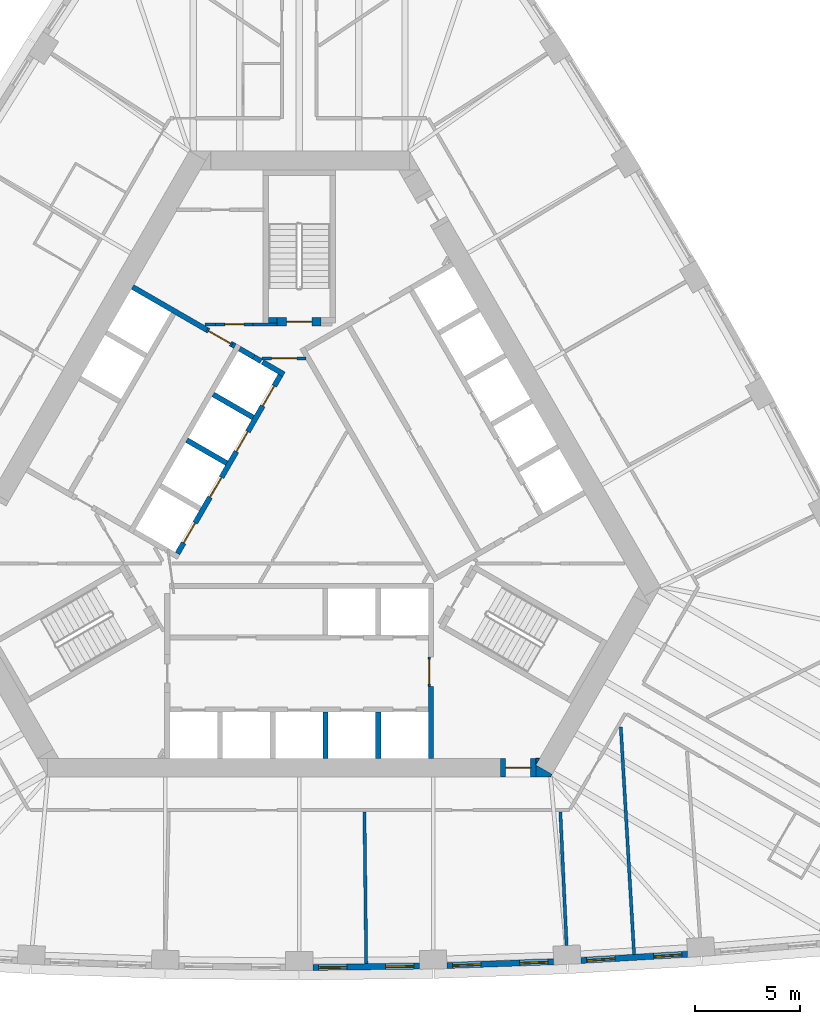
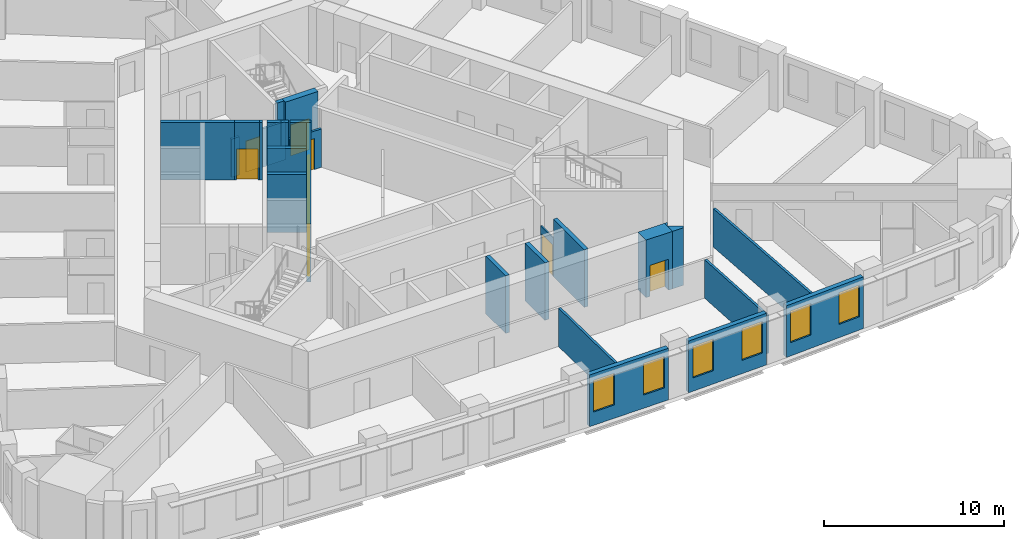
# One storey, part 6 of 12: 28 walls, 10 doors, 6 windows, 16 openings.
"""IFC4 building model written with IfcOpenShell, lengths in metres."""

from ifc_helpers import new_model, si_unit, direction, frame, frame_2d, origin, place, context, subcontext, project, spatial, polyline, rectangle, outline, extrude, material, layer, layer_set, type_object, element, fill, save


model = new_model("IFC4")

# Units and contexts
model_context = context("Model", 3, precision=1e-05, world=origin(), true_north=direction((0.0, 1.0)))
body_context = subcontext(model_context, "Body", "Model", "MODEL_VIEW")
ifc_project = project(units=[si_unit("LENGTHUNIT", "METRE"), si_unit("AREAUNIT", "SQUARE_METRE"), si_unit("VOLUMEUNIT", "CUBIC_METRE"), si_unit("PLANEANGLEUNIT", "RADIAN"), si_unit("MASSUNIT", "GRAM", prefix="KILO")], contexts=[model_context])

# Site, building, storey
site_placement = place(None, origin())
site = spatial("IfcSite", under=ifc_project, at=site_placement, CompositionType="ELEMENT")
building_placement = place(site_placement, origin())
building = spatial("IfcBuilding", under=site, at=building_placement, Name="Mestral Congress Tower", CompositionType="ELEMENT")
storey_placement = place(building_placement, frame((0.0, 0.0, 130.5)))
storey = spatial("IfcBuildingStorey", under=building, at=storey_placement, Name="L31", CompositionType="ELEMENT", Elevation=130.5)

# Walls
ifc_material_1 = material(Name="Fire-rated board partition")
ifc_layer_1 = layer(ifc_material_1, 0.14990234375)
ifc_layer_set_1 = layer_set([ifc_layer_1], Name="Fire-rated board partition")
wall_type_1 = type_object("IfcWallType", Name="Core partition 150", PredefinedType="PARTITIONING", material=ifc_layer_set_1)
wall_1_placement = place(storey_placement, frame((-3.99658203125, 8.625244140625, 0.0), z_axis=(0.0, 0.0, 1.0), x_axis=(-1.0, 0.0, 0.0)))
element("IfcWall", 1, at=wall_1_placement, inside=storey, type_object=wall_type_1, Name="L31 core wall", PredefinedType="PARTITIONING", context=body_context, shape_type="SweptSolid", body=[
    extrude(rectangle(XDim=0.502197265625, YDim=0.14990234375, at=frame_2d((0.2509765625, 0.0))), origin(), (0.0, 0.0, 1.0), 2.60009765625),
])
wall_2_placement = place(storey_placement, frame((-2.1962890625, 8.62548828125, 0.0), z_axis=(0.0, 0.0, 1.0), x_axis=(1.0, 0.0, 0.0)))
element("IfcWall", 2, at=wall_2_placement, inside=storey, type_object=wall_type_1, Name="L31 core wall", PredefinedType="PARTITIONING", context=body_context, shape_type="SweptSolid", body=[
    extrude(rectangle(XDim=1.146240234375, YDim=0.14990234375, at=frame_2d((0.5732421875, 0.0))), origin(), (0.0, 0.0, 1.0), 2.60009765625),
])

# Wall, opening, door
wall_3_placement = place(storey_placement, frame((-2.1962890625, 8.625, 0.0), z_axis=(0.0, 0.0, 1.0), x_axis=(-1.0, 0.0, 0.0)))
wall_3 = element("IfcWall", 3, at=wall_3_placement, inside=storey, type_object=wall_type_1, Name="L31 door wall", PredefinedType="PARTITIONING", context=body_context, shape_type="SweptSolid", body=[
    extrude(rectangle(XDim=1.800048828125, YDim=0.14990234375, at=frame_2d((0.89990234375, 0.0))), origin(), (0.0, 0.0, 1.0), 2.60009765625),
])
opening_1_placement = place(wall_3_placement, frame((0.449951171875, 0.0, 0.0)))
opening_1 = element("IfcOpeningElement", 4, at=opening_1_placement, cuts=wall_3, Name="Opening TD2", PredefinedType="OPENING", context=body_context, shape_type="SweptSolid", body=[
    extrude(rectangle(XDim=0.89990234375, YDim=2.10009765625, at=frame_2d((0.449951171875, 1.050048828125))), frame((0.0, 0.0849609375, 0.0), z_axis=(0.0, -1.0, 0.0), x_axis=(1.0, 0.0, 0.0)), (0.0, 0.0, 1.0), 0.169921875),
])
ifc_material_2 = material(Name="Fire-rated steel door set", Category="steel")
door_type_1 = type_object("IfcDoorType", Name="Core door SR 900x2100", OperationType="SINGLE_SWING_LEFT", PredefinedType="DOOR", material=ifc_material_2)
door_1_placement = place(opening_1_placement, origin())
door_1 = element("IfcDoor", 5, at=door_1_placement, inside=storey, type_object=door_type_1, Name="Door TD2", OperationType="SINGLE_SWING_LEFT", OverallHeight=2.10009765625, OverallWidth=0.89990234375, PredefinedType="DOOR", context=body_context, shape_type="SweptSolid", body=[
    extrude(rectangle(XDim=0.89990234375, YDim=2.10009765625, at=frame_2d((0.449951171875, 1.050048828125))), frame((0.0, 0.02490234375, 0.0), z_axis=(0.0, -1.0, 0.0), x_axis=(1.0, 0.0, 0.0)), (0.0, 0.0, 1.0), 0.050048828125),
])
fill(opening_1, door_1)

wall_4_placement = place(storey_placement, frame((-1.765380859375, 7.0, 0.0), z_axis=(0.0, 0.0, 1.0), x_axis=(1.0, 0.0, 0.0)))
wall_4 = element("IfcWall", 6, at=wall_4_placement, inside=storey, type_object=wall_type_1, Name="L31 door wall", PredefinedType="PARTITIONING", context=body_context, shape_type="SweptSolid", body=[
    extrude(rectangle(XDim=2.10009765625, YDim=0.14990234375, at=frame_2d((1.050048828125, 0.0))), origin(), (0.0, 0.0, 1.0), 2.60009765625),
])
opening_2_placement = place(wall_4_placement, frame((0.449951171875, 0.0, 0.0)))
opening_2 = element("IfcOpeningElement", 7, at=opening_2_placement, cuts=wall_4, Name="Opening CD2-FF", PredefinedType="OPENING", context=body_context, shape_type="SweptSolid", body=[
    extrude(rectangle(XDim=1.199951171875, YDim=2.10009765625, at=frame_2d((0.60009765625, 1.050048828125))), frame((0.0, 0.0849609375, 0.0), z_axis=(0.0, -1.0, 0.0), x_axis=(1.0, 0.0, 0.0)), (0.0, 0.0, 1.0), 0.169921875),
])
door_type_2 = type_object("IfcDoorType", Name="Core door CD 1200x2100", OperationType="SINGLE_SWING_LEFT", PredefinedType="DOOR", material=ifc_material_2)
door_2_placement = place(opening_2_placement, origin())
door_2 = element("IfcDoor", 8, at=door_2_placement, inside=storey, type_object=door_type_2, Name="Door CD2-FF", OperationType="SINGLE_SWING_LEFT", OverallHeight=2.10009765625, OverallWidth=1.199951171875, PredefinedType="DOOR", context=body_context, shape_type="SweptSolid", body=[
    extrude(rectangle(XDim=1.199951171875, YDim=2.10009765625, at=frame_2d((0.60009765625, 1.050048828125))), frame((0.0, 0.02490234375, 0.0), z_axis=(0.0, -1.0, 0.0), x_axis=(1.0, 0.0, 0.0)), (0.0, 0.0, 1.0), 0.050048828125),
])
fill(opening_2, door_2)

ifc_layer_2 = layer(ifc_material_1, 0.090087890625)
ifc_layer_set_2 = layer_set([ifc_layer_2], Name="Fire-rated board partition")
wall_type_2 = type_object("IfcWallType", Name="Core partition 150 door-wall 90", PredefinedType="PARTITIONING", material=ifc_layer_set_2)
wall_5_placement = place(storey_placement, frame((6.219970703125, -7.266357421875, 0.0), z_axis=(0.0, 0.0, 1.0), x_axis=(0.0, -1.0, 0.0)))
wall_5 = element("IfcWall", 9, at=wall_5_placement, inside=storey, type_object=wall_type_2, Name="L31 door wall", PredefinedType="PARTITIONING", context=body_context, shape_type="SweptSolid", body=[
    extrude(rectangle(XDim=1.400146484375, YDim=0.090087890625, at=frame_2d((0.7001953125, 0.0))), origin(), (0.0, 0.0, 1.0), 2.60009765625),
])
opening_3_placement = place(wall_5_placement, frame((0.10009765625, 0.0, 0.0)))
opening_3 = element("IfcOpeningElement", 10, at=opening_3_placement, cuts=wall_5, Name="Opening LB0-WL1", PredefinedType="OPENING", context=body_context, shape_type="SweptSolid", body=[
    extrude(rectangle(XDim=1.199951171875, YDim=2.10009765625, at=frame_2d((0.60009765625, 1.050048828125))), frame((0.0, 0.054931640625, 0.0), z_axis=(0.0, -1.0, 0.0), x_axis=(1.0, 0.0, 0.0)), (0.0, 0.0, 1.0), 0.110107421875),
])
door_type_3 = type_object("IfcDoorType", Name="Core door LB 1200x2100", OperationType="SINGLE_SWING_LEFT", PredefinedType="DOOR", material=ifc_material_2)
door_3_placement = place(opening_3_placement, origin())
door_3 = element("IfcDoor", 11, at=door_3_placement, inside=storey, type_object=door_type_3, Name="Door LB0-WL1", OperationType="SINGLE_SWING_LEFT", OverallHeight=2.10009765625, OverallWidth=1.199951171875, PredefinedType="DOOR", context=body_context, shape_type="SweptSolid", body=[
    extrude(rectangle(XDim=1.199951171875, YDim=2.10009765625, at=frame_2d((0.60009765625, 1.050048828125))), frame((0.0, 0.02490234375, 0.0), z_axis=(0.0, -1.0, 0.0), x_axis=(1.0, 0.0, 0.0)), (0.0, 0.0, 1.0), 0.050048828125),
])
fill(opening_3, door_3)

# Walls
ifc_material_3 = material(Name="Concrete C60/75", Category="concrete")
ifc_layer_3 = layer(ifc_material_3, 0.89990234375)
ifc_layer_set_3 = layer_set([ifc_layer_3], Name="Concrete C60/75")
wall_type_3 = type_object("IfcWallType", Name="Core wall RC 900", PredefinedType="SOLIDWALL", material=ifc_layer_set_3)
placement = place(storey_placement, origin())
element("IfcWall", 12, at=placement, inside=storey, type_object=wall_type_3, Name="L31 core wall", PredefinedType="SOLIDWALL", context=body_context, shape_type="SweptSolid", body=[
    extrude(outline(polyline([(12.0087890625, -13.0), (11.31201171875, -13.0), (11.31201171875, -12.425048828125), (12.08349609375, -12.87060546875), (12.0087890625, -13.0)])), origin(), (0.0, 0.0, 1.0), 3.89990234375),
])
element("IfcWall", 13, at=placement, inside=storey, type_object=wall_type_3, Name="L31 core wall", PredefinedType="SOLIDWALL", context=body_context, shape_type="SweptSolid", body=[
    extrude(outline(polyline([(11.4892578125, -12.10009765625), (11.31201171875, -12.4072265625), (11.31201171875, -12.10009765625), (11.4892578125, -12.10009765625)])), origin(), (0.0, 0.0, 1.0), 3.89990234375),
])

# Wall, opening, door
wall_8_placement = place(storey_placement, frame((11.311767578125, -12.550048828125, 0.0), z_axis=(0.0, 0.0, 1.0), x_axis=(-1.0, 0.0, 0.0)))
wall_8 = element("IfcWall", 14, at=wall_8_placement, inside=storey, type_object=wall_type_3, Name="L31 door wall", PredefinedType="SOLIDWALL", context=body_context, shape_type="SweptSolid", body=[
    extrude(rectangle(XDim=1.699951171875, YDim=0.89990234375, at=frame_2d((0.85009765625, 0.0))), origin(), (0.0, 0.0, 1.0), 3.89990234375),
])
opening_4_placement = place(wall_8_placement, frame((0.25, 0.0, 0.0)))
opening_4 = element("IfcOpeningElement", 15, at=opening_4_placement, cuts=wall_8, Name="Opening XD1", PredefinedType="OPENING", context=body_context, shape_type="SweptSolid", body=[
    extrude(rectangle(XDim=1.199951171875, YDim=2.10009765625, at=frame_2d((0.60009765625, 1.050048828125))), frame((0.0, 0.4599609375, 0.0), z_axis=(0.0, -1.0, 0.0), x_axis=(1.0, 0.0, 0.0)), (0.0, 0.0, 1.0), 0.919921875),
])
door_type_4 = type_object("IfcDoorType", Name="Core door XD 1200x2100", OperationType="SINGLE_SWING_LEFT", PredefinedType="DOOR", material=ifc_material_2)
door_4_placement = place(opening_4_placement, origin())
door_4 = element("IfcDoor", 16, at=door_4_placement, inside=storey, type_object=door_type_4, Name="Door XD1", OperationType="SINGLE_SWING_LEFT", OverallHeight=2.10009765625, OverallWidth=1.199951171875, PredefinedType="DOOR", context=body_context, shape_type="SweptSolid", body=[
    extrude(rectangle(XDim=1.199951171875, YDim=2.10009765625, at=frame_2d((0.60009765625, 1.050048828125))), frame((0.0, 0.02490234375, 0.0), z_axis=(0.0, -1.0, 0.0), x_axis=(1.0, 0.0, 0.0)), (0.0, 0.0, 1.0), 0.050048828125),
])
fill(opening_4, door_4)

# Wall, openings, windows
ifc_material_4 = material(Name="Precast concrete C40/50 with limestone facing", Category="masonry")
ifc_layer_4 = layer(ifc_material_4, 0.2900390625)
ifc_layer_set_4 = layer_set([ifc_layer_4], Name="Precast concrete C40/50 with limestone facing")
wall_type_4 = type_object("IfcWallType", Name="Facade stone wall 290", PredefinedType="SOLIDWALL", material=ifc_layer_set_4)
wall_9_placement = place(storey_placement, frame((0.6533203125, -22.091064453125, 0.0), z_axis=(0.0, 0.0, 1.0), x_axis=(0.999931786565, 0.011679992145, 0.0)))
wall_9 = element("IfcWall", 17, at=wall_9_placement, inside=storey, type_object=wall_type_4, Name="Facade wall F0-04", PredefinedType="SOLIDWALL", context=body_context, shape_type="SweptSolid", body=[
    extrude(rectangle(XDim=5.10009765625, YDim=0.2900390625, at=frame_2d((2.550048828125, 0.0))), origin(), (0.0, 0.0, 1.0), 3.5),
])
opening_5_placement = place(wall_9_placement, frame((0.272705078125, 0.0, 0.89990234375)))
opening_5 = element("IfcOpeningElement", 18, at=opening_5_placement, cuts=wall_9, Name="Opening W2", PredefinedType="OPENING", context=body_context, shape_type="SweptSolid", body=[
    extrude(rectangle(XDim=1.35009765625, YDim=2.14990234375, at=frame_2d((0.675048828125, 1.074951171875))), frame((0.0, 0.155029296875, 0.0), z_axis=(0.0, -1.0, 0.0), x_axis=(1.0, 0.0, 0.0)), (0.0, 0.0, 1.0), 0.31005859375),
])
opening_6_placement = place(wall_9_placement, frame((3.477783203125, 0.0, 0.89990234375)))
opening_6 = element("IfcOpeningElement", 19, at=opening_6_placement, cuts=wall_9, Name="Opening W2", PredefinedType="OPENING", context=body_context, shape_type="SweptSolid", body=[
    extrude(rectangle(XDim=1.35009765625, YDim=2.14990234375, at=frame_2d((0.675048828125, 1.074951171875))), frame((0.0, 0.155029296875, 0.0), z_axis=(0.0, -1.0, 0.0), x_axis=(1.0, 0.0, 0.0)), (0.0, 0.0, 1.0), 0.31005859375),
])
ifc_material_5 = material(Name="Clear low-emissivity double glazing", Category="glass")
window_type = type_object("IfcWindowType", Name="Facade punched window 1350 x 2150 sill 900", PartitioningType="DOUBLE_PANEL_VERTICAL", PredefinedType="WINDOW", material=ifc_material_5)
window_1_placement = place(opening_5_placement, origin())
window_1 = element("IfcWindow", 20, at=window_1_placement, inside=storey, type_object=window_type, Name="Window F0-04a", OverallHeight=2.14990234375, OverallWidth=1.35009765625, PartitioningType="DOUBLE_PANEL_VERTICAL", PredefinedType="WINDOW", context=body_context, shape_type="SweptSolid", body=[
    extrude(rectangle(XDim=1.35009765625, YDim=2.14990234375, at=frame_2d((0.675048828125, 1.074951171875))), frame((0.0, 0.01513671875, 0.0), z_axis=(0.0, -1.0, 0.0), x_axis=(1.0, 0.0, 0.0)), (0.0, 0.0, 1.0), 0.06005859375),
])
fill(opening_5, window_1)
window_2_placement = place(opening_6_placement, origin())
window_2 = element("IfcWindow", 21, at=window_2_placement, inside=storey, type_object=window_type, Name="Window F0-04b", OverallHeight=2.14990234375, OverallWidth=1.35009765625, PartitioningType="DOUBLE_PANEL_VERTICAL", PredefinedType="WINDOW", context=body_context, shape_type="SweptSolid", body=[
    extrude(rectangle(XDim=1.35009765625, YDim=2.14990234375, at=frame_2d((0.675048828125, 1.074951171875))), frame((0.0, 0.01513671875, 0.0), z_axis=(0.0, -1.0, 0.0), x_axis=(1.0, 0.0, 0.0)), (0.0, 0.0, 1.0), 0.06005859375),
])
fill(opening_6, window_2)

wall_10_placement = place(storey_placement, frame((7.059326171875, -22.000732421875, 0.0), z_axis=(0.0, 0.0, 1.0), x_axis=(0.999385993957, 0.035037623812, 0.0)))
wall_10 = element("IfcWall", 22, at=wall_10_placement, inside=storey, type_object=wall_type_4, Name="Facade wall F0-05", PredefinedType="SOLIDWALL", context=body_context, shape_type="SweptSolid", body=[
    extrude(rectangle(XDim=5.1005859375, YDim=0.2900390625, at=frame_2d((2.55029296875, 0.0))), origin(), (0.0, 0.0, 1.0), 3.5),
])
opening_7_placement = place(wall_10_placement, frame((0.272705078125, 0.0, 0.89990234375)))
opening_7 = element("IfcOpeningElement", 23, at=opening_7_placement, cuts=wall_10, Name="Opening W2", PredefinedType="OPENING", context=body_context, shape_type="SweptSolid", body=[
    extrude(rectangle(XDim=1.35009765625, YDim=2.14990234375, at=frame_2d((0.675048828125, 1.074951171875))), frame((0.0, 0.155029296875, 0.0), z_axis=(0.0, -1.0, 0.0), x_axis=(1.0, 0.0, 0.0)), (0.0, 0.0, 1.0), 0.31005859375),
])
opening_8_placement = place(wall_10_placement, frame((3.477783203125, 0.0, 0.89990234375)))
opening_8 = element("IfcOpeningElement", 24, at=opening_8_placement, cuts=wall_10, Name="Opening W2", PredefinedType="OPENING", context=body_context, shape_type="SweptSolid", body=[
    extrude(rectangle(XDim=1.35009765625, YDim=2.14990234375, at=frame_2d((0.675048828125, 1.074951171875))), frame((0.0, 0.155029296875, 0.0), z_axis=(0.0, -1.0, 0.0), x_axis=(1.0, 0.0, 0.0)), (0.0, 0.0, 1.0), 0.31005859375),
])
window_3_placement = place(opening_7_placement, origin())
window_3 = element("IfcWindow", 25, at=window_3_placement, inside=storey, type_object=window_type, Name="Window F0-05a", OverallHeight=2.14990234375, OverallWidth=1.35009765625, PartitioningType="DOUBLE_PANEL_VERTICAL", PredefinedType="WINDOW", context=body_context, shape_type="SweptSolid", body=[
    extrude(rectangle(XDim=1.35009765625, YDim=2.14990234375, at=frame_2d((0.675048828125, 1.074951171875))), frame((0.0, 0.01513671875, 0.0), z_axis=(0.0, -1.0, 0.0), x_axis=(1.0, 0.0, 0.0)), (0.0, 0.0, 1.0), 0.06005859375),
])
fill(opening_7, window_3)
window_4_placement = place(opening_8_placement, origin())
window_4 = element("IfcWindow", 26, at=window_4_placement, inside=storey, type_object=window_type, Name="Window F0-05b", OverallHeight=2.14990234375, OverallWidth=1.35009765625, PartitioningType="DOUBLE_PANEL_VERTICAL", PredefinedType="WINDOW", context=body_context, shape_type="SweptSolid", body=[
    extrude(rectangle(XDim=1.35009765625, YDim=2.14990234375, at=frame_2d((0.675048828125, 1.074951171875))), frame((0.0, 0.01513671875, 0.0), z_axis=(0.0, -1.0, 0.0), x_axis=(1.0, 0.0, 0.0)), (0.0, 0.0, 1.0), 0.06005859375),
])
fill(opening_8, window_4)

wall_11_placement = place(storey_placement, frame((13.4619140625, -21.760986328125, 0.0), z_axis=(0.0, 0.0, 1.0), x_axis=(0.998290511436, 0.058447025388, 0.0)))
wall_11 = element("IfcWall", 27, at=wall_11_placement, inside=storey, type_object=wall_type_4, Name="Facade wall F0-06", PredefinedType="SOLIDWALL", context=body_context, shape_type="SweptSolid", body=[
    extrude(rectangle(XDim=5.100341796875, YDim=0.2900390625, at=frame_2d((2.55029296875, 0.0))), origin(), (0.0, 0.0, 1.0), 3.5),
])
opening_9_placement = place(wall_11_placement, frame((0.2724609375, 0.0, 0.89990234375)))
opening_9 = element("IfcOpeningElement", 28, at=opening_9_placement, cuts=wall_11, Name="Opening W2", PredefinedType="OPENING", context=body_context, shape_type="SweptSolid", body=[
    extrude(rectangle(XDim=1.35009765625, YDim=2.14990234375, at=frame_2d((0.675048828125, 1.074951171875))), frame((0.0, 0.155029296875, 0.0), z_axis=(0.0, -1.0, 0.0), x_axis=(1.0, 0.0, 0.0)), (0.0, 0.0, 1.0), 0.31005859375),
])
opening_10_placement = place(wall_11_placement, frame((3.477783203125, 0.0, 0.89990234375)))
opening_10 = element("IfcOpeningElement", 29, at=opening_10_placement, cuts=wall_11, Name="Opening W2", PredefinedType="OPENING", context=body_context, shape_type="SweptSolid", body=[
    extrude(rectangle(XDim=1.35009765625, YDim=2.14990234375, at=frame_2d((0.675048828125, 1.074951171875))), frame((0.0, 0.155029296875, 0.0), z_axis=(0.0, -1.0, 0.0), x_axis=(1.0, 0.0, 0.0)), (0.0, 0.0, 1.0), 0.31005859375),
])
window_5_placement = place(opening_9_placement, origin())
window_5 = element("IfcWindow", 30, at=window_5_placement, inside=storey, type_object=window_type, Name="Window F0-06a", OverallHeight=2.14990234375, OverallWidth=1.35009765625, PartitioningType="DOUBLE_PANEL_VERTICAL", PredefinedType="WINDOW", context=body_context, shape_type="SweptSolid", body=[
    extrude(rectangle(XDim=1.35009765625, YDim=2.14990234375, at=frame_2d((0.675048828125, 1.074951171875))), frame((0.0, 0.01513671875, 0.0), z_axis=(0.0, -1.0, 0.0), x_axis=(1.0, 0.0, 0.0)), (0.0, 0.0, 1.0), 0.06005859375),
])
fill(opening_9, window_5)
window_6_placement = place(opening_10_placement, origin())
window_6 = element("IfcWindow", 31, at=window_6_placement, inside=storey, type_object=window_type, Name="Window F0-06b", OverallHeight=2.14990234375, OverallWidth=1.35009765625, PartitioningType="DOUBLE_PANEL_VERTICAL", PredefinedType="WINDOW", context=body_context, shape_type="SweptSolid", body=[
    extrude(rectangle(XDim=1.35009765625, YDim=2.14990234375, at=frame_2d((0.675048828125, 1.074951171875))), frame((0.0, 0.01513671875, 0.0), z_axis=(0.0, -1.0, 0.0), x_axis=(1.0, 0.0, 0.0)), (0.0, 0.0, 1.0), 0.06005859375),
])
fill(opening_10, window_6)

# Walls
ifc_material_6 = material(Name="Gypsum board partition on metal studs with mineral wool", Category="composite")
ifc_layer_5 = layer(ifc_material_6, 0.14990234375)
ifc_layer_set_5 = layer_set([ifc_layer_5], Name="Gypsum board partition on metal studs with mineral wool")
wall_type_5 = type_object("IfcWallType", Name="Hotel partition wall 150", PredefinedType="PARTITIONING", material=ifc_layer_set_5)
wall_12_placement = place(storey_placement, frame((3.20166015625, -21.916259765625, 0.0), z_axis=(0.0, 0.0, 1.0), x_axis=(-0.011707696285, 0.999931462575, 0.0)))
element("IfcWall", 32, at=wall_12_placement, inside=storey, type_object=wall_type_5, Name="L31-h-pw13", PredefinedType="PARTITIONING", context=body_context, shape_type="SweptSolid", body=[
    extrude(rectangle(XDim=7.2568359375, YDim=0.14990234375, at=frame_2d((3.62841796875, 0.0))), origin(), (0.0, 0.0, 1.0), 2.60009765625),
])
wall_13_placement = place(storey_placement, frame((12.7744140625, -21.044921875, 0.0), z_axis=(0.0, 0.0, 1.0), x_axis=(-0.046750341626, 0.998906605023, 0.0)))
element("IfcWall", 33, at=wall_13_placement, inside=storey, type_object=wall_type_5, Name="L31-h-pw17", PredefinedType="PARTITIONING", context=body_context, shape_type="SweptSolid", body=[
    extrude(rectangle(XDim=6.39208984375, YDim=0.14990234375, at=frame_2d((3.196044921875, 0.0))), origin(), (0.0, 0.0, 1.0), 2.60009765625),
])
wall_14_placement = place(storey_placement, frame((15.999267578125, -21.467041015625, 0.0), z_axis=(0.0, 0.0, 1.0), x_axis=(-0.058433825336, 0.998291284173, 0.0)))
element("IfcWall", 34, at=wall_14_placement, inside=storey, type_object=wall_type_5, Name="L31-h-pw19", PredefinedType="PARTITIONING", context=body_context, shape_type="SweptSolid", body=[
    extrude(rectangle(XDim=10.87548828125, YDim=0.14990234375, at=frame_2d((5.437744140625, 0.0))), origin(), (0.0, 0.0, 1.0), 2.60009765625),
])
ifc_layer_6 = layer(ifc_material_3, 0.25)
ifc_layer_set_6 = layer_set([ifc_layer_6], Name="Concrete C60/75")
wall_type_6 = type_object("IfcWallType", Name="Shaft wall RC 250", PredefinedType="SOLIDWALL", material=ifc_layer_set_6)
wall_15_placement = place(storey_placement, frame((6.300048828125, -8.669921875, 0.0), z_axis=(0.0, 0.0, 1.0), x_axis=(0.0, -1.0, 0.0)))
element("IfcWall", 35, at=wall_15_placement, inside=storey, type_object=wall_type_6, Name="L31 core wall", PredefinedType="SOLIDWALL", context=body_context, shape_type="SweptSolid", body=[
    extrude(rectangle(XDim=3.43017578125, YDim=0.25, at=frame_2d((1.715087890625, 0.0))), origin(), (0.0, 0.0, 1.0), 3.89990234375),
])
for number, where, z_axis, x_axis, name in (
    (36, (3.780029296875, -12.10009765625, 0.0), (0.0, 0.0, 1.0), (0.0, 1.0, 0.0), "L31 core wall"),
    (37, (1.260009765625, -12.10009765625, 0.0), (0.0, 0.0, 1.0), (0.0, 1.0, 0.0), "L31 core wall"),
):
    element("IfcWall", number, at=place(storey_placement, frame(where, z_axis=z_axis, x_axis=x_axis)), inside=storey, type_object=wall_type_6, Name=name, PredefinedType="SOLIDWALL", context=body_context, shape_type="SweptSolid", body=[
        extrude(rectangle(XDim=2.199951171875, YDim=0.25, at=frame_2d((1.10009765625, 0.0))), origin(), (0.0, 0.0, 1.0), 3.89990234375),
    ])
wall_16_placement = place(storey_placement, frame((-1.818603515625, 6.869873046875, 0.0), z_axis=(0.0, 0.0, 1.0), x_axis=(-0.866294599386, 0.499533449405, 0.0)))
element("IfcWall", 38, at=wall_16_placement, inside=storey, type_object=wall_type_6, Name="L31 core wall", PredefinedType="SOLIDWALL", context=body_context, shape_type="SweptSolid", body=[
    extrude(rectangle(XDim=0.41015625, YDim=0.25, at=frame_2d((0.205078125, 0.0))), origin(), (0.0, 0.0, 1.0), 3.89990234375),
])
wall_17_placement = place(storey_placement, frame((-2.849365234375, 7.46484375, 0.0), z_axis=(0.0, 0.0, 1.0), x_axis=(0.865955664968, -0.500120771724, 0.0)))
element("IfcWall", 39, at=wall_17_placement, inside=storey, type_object=wall_type_6, Name="L31 core wall", PredefinedType="SOLIDWALL", context=body_context, shape_type="SweptSolid", body=[
    extrude(rectangle(XDim=0.778076171875, YDim=0.25, at=frame_2d((0.38916015625, 0.0))), origin(), (0.0, 0.0, 1.0), 3.89990234375),
])
wall_18_placement = place(storey_placement, frame((-0.7275390625, 6.23974609375, 0.0), z_axis=(0.0, 0.0, 1.0), x_axis=(-0.866002680491, 0.500039355833, 0.0)))
element("IfcWall", 40, at=wall_18_placement, inside=storey, type_object=wall_type_6, Name="L31 core wall", PredefinedType="SOLIDWALL", context=body_context, shape_type="SweptSolid", body=[
    extrude(rectangle(XDim=1.17822265625, YDim=0.25, at=frame_2d((0.589111328125, 0.0))), origin(), (0.0, 0.0, 1.0), 3.89990234375),
])
for number, where, z_axis, x_axis, name in (
    (41, (-2.2041015625, 4.182373046875, 0.0), (0.0, 0.0, 1.0), (-0.866008176907, 0.50002983664, 0.0), "L31 core wall"),
    (42, (-5.369384765625, 3.10009765625, 0.0), (0.0, 0.0, 1.0), (0.866008176907, -0.50002983664, 0.0), "L31 core wall"),
):
    element("IfcWall", number, at=place(storey_placement, frame(where, z_axis=z_axis, x_axis=x_axis)), inside=storey, type_object=wall_type_6, Name=name, PredefinedType="SOLIDWALL", context=body_context, shape_type="SweptSolid", body=[
        extrude(rectangle(XDim=2.199951171875, YDim=0.25, at=frame_2d((1.10009765625, 0.0))), origin(), (0.0, 0.0, 1.0), 3.89990234375),
    ])
element("IfcWall", 43, at=placement, inside=storey, type_object=wall_type_6, Name="L31 core wall", PredefinedType="SOLIDWALL", context=body_context, shape_type="SweptSolid", body=[
    extrude(outline(polyline([(-3.12841796875, 7.4814453125), (-3.2587890625, 7.556640625), (-3.1337890625, 7.773193359375), (-3.00341796875, 7.697998046875), (-3.12841796875, 7.4814453125)])), origin(), (0.0, 0.0, 1.0), 3.89990234375),
])
wall_20_placement = place(storey_placement, frame((-7.958984375, 10.414794921875, 0.0), z_axis=(0.0, 0.0, 1.0), x_axis=(0.866020958405, -0.500007699544, 0.0)))
element("IfcWall", 44, at=wall_20_placement, inside=storey, type_object=wall_type_6, Name="L31 core wall", PredefinedType="SOLIDWALL", context=body_context, shape_type="SweptSolid", body=[
    extrude(rectangle(XDim=4.099609375, YDim=0.25, at=frame_2d((2.0498046875, 0.0))), origin(), (0.0, 0.0, 1.0), 3.89990234375),
])

# Wall, openings, doors
wall_21_placement = place(storey_placement, frame((-0.898193359375, 6.194091796875, 0.0), z_axis=(0.0, 0.0, 1.0), x_axis=(-0.499996202215, -0.866027596426, 0.0)))
wall_21 = element("IfcWall", 45, at=wall_21_placement, inside=storey, type_object=wall_type_6, Name="L31 door wall", PredefinedType="SOLIDWALL", context=body_context, shape_type="SweptSolid", body=[
    extrude(rectangle(XDim=9.830078125, YDim=0.25, at=frame_2d((4.9150390625, 0.0))), origin(), (0.0, 0.0, 1.0), 3.89990234375),
])
opening_11_placement = place(wall_21_placement, frame((0.5849609375, 0.0, 0.0)))
opening_11 = element("IfcOpeningElement", 46, at=opening_11_placement, cuts=wall_21, Name="Opening LD-NWB1", PredefinedType="OPENING", context=body_context, shape_type="SweptSolid", body=[
    extrude(rectangle(XDim=1.10009765625, YDim=2.10009765625, at=frame_2d((0.550048828125, 1.050048828125))), frame((0.0, 0.135009765625, 0.0), z_axis=(0.0, -1.0, 0.0), x_axis=(1.0, 0.0, 0.0)), (0.0, 0.0, 1.0), 0.27001953125),
])
opening_12_placement = place(wall_21_placement, frame((3.10498046875, 0.0, 0.0)))
opening_12 = element("IfcOpeningElement", 47, at=opening_12_placement, cuts=wall_21, Name="Opening LD-NWB2", PredefinedType="OPENING", context=body_context, shape_type="SweptSolid", body=[
    extrude(rectangle(XDim=1.10009765625, YDim=2.10009765625, at=frame_2d((0.550048828125, 1.050048828125))), frame((0.0, 0.135009765625, 0.0), z_axis=(0.0, -1.0, 0.0), x_axis=(1.0, 0.0, 0.0)), (0.0, 0.0, 1.0), 0.27001953125),
])
opening_13_placement = place(wall_21_placement, frame((5.625, 0.0, 0.0)))
opening_13 = element("IfcOpeningElement", 48, at=opening_13_placement, cuts=wall_21, Name="Opening LD-NWB3", PredefinedType="OPENING", context=body_context, shape_type="SweptSolid", body=[
    extrude(rectangle(XDim=1.10009765625, YDim=2.10009765625, at=frame_2d((0.550048828125, 1.050048828125))), frame((0.0, 0.135009765625, 0.0), z_axis=(0.0, -1.0, 0.0), x_axis=(1.0, 0.0, 0.0)), (0.0, 0.0, 1.0), 0.27001953125),
])
opening_14_placement = place(wall_21_placement, frame((8.14501953125, 0.0, 0.0)))
opening_14 = element("IfcOpeningElement", 49, at=opening_14_placement, cuts=wall_21, Name="Opening LD-NWB4", PredefinedType="OPENING", context=body_context, shape_type="SweptSolid", body=[
    extrude(rectangle(XDim=1.10009765625, YDim=2.10009765625, at=frame_2d((0.550048828125, 1.050048828125))), frame((0.0, 0.135009765625, 0.0), z_axis=(0.0, -1.0, 0.0), x_axis=(1.0, 0.0, 0.0)), (0.0, 0.0, 1.0), 0.27001953125),
])
door_type_5 = type_object("IfcDoorType", Name="Core door LD 1100x2100", OperationType="DOUBLE_DOOR_SLIDING", PredefinedType="DOOR", material=ifc_material_2)
door_5_placement = place(opening_11_placement, origin())
door_5 = element("IfcDoor", 50, at=door_5_placement, inside=storey, type_object=door_type_5, Name="Door LD-NWB1", OperationType="DOUBLE_DOOR_SLIDING", OverallHeight=2.10009765625, OverallWidth=1.10009765625, PredefinedType="DOOR", context=body_context, shape_type="SweptSolid", body=[
    extrude(rectangle(XDim=1.10009765625, YDim=2.10009765625, at=frame_2d((0.550048828125, 1.050048828125))), frame((0.0, 0.02490234375, 0.0), z_axis=(0.0, -1.0, 0.0), x_axis=(1.0, 0.0, 0.0)), (0.0, 0.0, 1.0), 0.050048828125),
])
fill(opening_11, door_5)
door_6_placement = place(opening_12_placement, origin())
door_6 = element("IfcDoor", 51, at=door_6_placement, inside=storey, type_object=door_type_5, Name="Door LD-NWB2", OperationType="DOUBLE_DOOR_SLIDING", OverallHeight=2.10009765625, OverallWidth=1.10009765625, PredefinedType="DOOR", context=body_context, shape_type="SweptSolid", body=[
    extrude(rectangle(XDim=1.10009765625, YDim=2.10009765625, at=frame_2d((0.550048828125, 1.050048828125))), frame((0.0, 0.02490234375, 0.0), z_axis=(0.0, -1.0, 0.0), x_axis=(1.0, 0.0, 0.0)), (0.0, 0.0, 1.0), 0.050048828125),
])
fill(opening_12, door_6)
door_7_placement = place(opening_13_placement, origin())
door_7 = element("IfcDoor", 52, at=door_7_placement, inside=storey, type_object=door_type_5, Name="Door LD-NWB3", OperationType="DOUBLE_DOOR_SLIDING", OverallHeight=2.10009765625, OverallWidth=1.10009765625, PredefinedType="DOOR", context=body_context, shape_type="SweptSolid", body=[
    extrude(rectangle(XDim=1.10009765625, YDim=2.10009765625, at=frame_2d((0.550048828125, 1.050048828125))), frame((0.0, 0.02490234375, 0.0), z_axis=(0.0, -1.0, 0.0), x_axis=(1.0, 0.0, 0.0)), (0.0, 0.0, 1.0), 0.050048828125),
])
fill(opening_13, door_7)
door_8_placement = place(opening_14_placement, origin())
door_8 = element("IfcDoor", 53, at=door_8_placement, inside=storey, type_object=door_type_5, Name="Door LD-NWB4", OperationType="DOUBLE_DOOR_SLIDING", OverallHeight=2.10009765625, OverallWidth=1.10009765625, PredefinedType="DOOR", context=body_context, shape_type="SweptSolid", body=[
    extrude(rectangle(XDim=1.10009765625, YDim=2.10009765625, at=frame_2d((0.550048828125, 1.050048828125))), frame((0.0, 0.02490234375, 0.0), z_axis=(0.0, -1.0, 0.0), x_axis=(1.0, 0.0, 0.0)), (0.0, 0.0, 1.0), 0.050048828125),
])
fill(opening_14, door_8)

# Wall, opening, door
wall_22_placement = place(storey_placement, frame((-4.40869140625, 8.364990234375, 0.0), z_axis=(0.0, 0.0, 1.0), x_axis=(0.866034573852, -0.49998411664, 0.0)))
wall_22 = element("IfcWall", 54, at=wall_22_placement, inside=storey, type_object=wall_type_6, Name="L31 door wall", PredefinedType="SOLIDWALL", context=body_context, shape_type="SweptSolid", body=[
    extrude(rectangle(XDim=1.39990234375, YDim=0.25, at=frame_2d((0.699951171875, 0.0))), origin(), (0.0, 0.0, 1.0), 3.89990234375),
])
opening_15_placement = place(wall_22_placement, frame((0.10009765625, 0.0, 0.0)))
opening_15 = element("IfcOpeningElement", 55, at=opening_15_placement, cuts=wall_22, Name="Opening LB2-WL2", PredefinedType="OPENING", context=body_context, shape_type="SweptSolid", body=[
    extrude(rectangle(XDim=1.199951171875, YDim=2.10009765625, at=frame_2d((0.60009765625, 1.050048828125))), frame((0.0, 0.135009765625, 0.0), z_axis=(0.0, -1.0, 0.0), x_axis=(1.0, 0.0, 0.0)), (0.0, 0.0, 1.0), 0.27001953125),
])
door_9_placement = place(opening_15_placement, origin())
door_9 = element("IfcDoor", 56, at=door_9_placement, inside=storey, type_object=door_type_3, Name="Door LB2-WL2", OperationType="SINGLE_SWING_LEFT", OverallHeight=2.10009765625, OverallWidth=1.199951171875, PredefinedType="DOOR", context=body_context, shape_type="SweptSolid", body=[
    extrude(rectangle(XDim=1.199951171875, YDim=2.10009765625, at=frame_2d((0.60009765625, 1.050048828125))), frame((0.0, 0.02490234375, 0.0), z_axis=(0.0, -1.0, 0.0), x_axis=(1.0, 0.0, 0.0)), (0.0, 0.0, 1.0), 0.050048828125),
])
fill(opening_15, door_9)

# Wall
ifc_layer_7 = layer(ifc_material_3, 0.25)
ifc_layer_set_7 = layer_set([ifc_layer_7], Name="Concrete C60/75")
wall_type_7 = type_object("IfcWallType", Name="Stair wall RC 250", PredefinedType="SOLIDWALL", material=ifc_layer_set_7)
wall_23_placement = place(storey_placement, frame((-1.47509765625, 8.824951171875, 0.0), z_axis=(0.0, 0.0, 1.0), x_axis=(1.0, 0.0, 0.0)))
element("IfcWall", 57, at=wall_23_placement, inside=storey, type_object=wall_type_7, Name="L31 core wall", PredefinedType="SOLIDWALL", context=body_context, shape_type="SweptSolid", body=[
    extrude(rectangle(XDim=0.425048828125, YDim=0.25, at=frame_2d((0.21240234375, 0.0))), origin(), (0.0, 0.0, 1.0), 3.89990234375),
])

# Wall, opening, door
ifc_layer_8 = layer(ifc_material_3, 0.39990234375)
ifc_layer_set_8 = layer_set([ifc_layer_8], Name="Concrete C60/75")
wall_type_8 = type_object("IfcWallType", Name="Stair wall RC 250 door-wall 400", PredefinedType="SOLIDWALL", material=ifc_layer_set_8)
wall_24_placement = place(storey_placement, frame((1.050048828125, 8.75, 0.0), z_axis=(0.0, 0.0, 1.0), x_axis=(-1.0, 0.0, 0.0)))
wall_24 = element("IfcWall", 58, at=wall_24_placement, inside=storey, type_object=wall_type_8, Name="L31 door wall", PredefinedType="SOLIDWALL", context=body_context, shape_type="SweptSolid", body=[
    extrude(rectangle(XDim=2.10009765625, YDim=0.39990234375, at=frame_2d((1.050048828125, 0.0))), origin(), (0.0, 0.0, 1.0), 3.89990234375),
])
opening_16_placement = place(wall_24_placement, frame((0.449951171875, 0.0, 0.0)))
opening_16 = element("IfcOpeningElement", 59, at=opening_16_placement, cuts=wall_24, Name="Opening ST-D2", PredefinedType="OPENING", context=body_context, shape_type="SweptSolid", body=[
    extrude(rectangle(XDim=1.199951171875, YDim=2.10009765625, at=frame_2d((0.60009765625, 1.050048828125))), frame((0.0, 0.2099609375, 0.0), z_axis=(0.0, -1.0, 0.0), x_axis=(1.0, 0.0, 0.0)), (0.0, 0.0, 1.0), 0.419921875),
])
door_type_6 = type_object("IfcDoorType", Name="Core door ST 1200x2100", OperationType="SINGLE_SWING_LEFT", PredefinedType="DOOR", material=ifc_material_2)
door_10_placement = place(opening_16_placement, origin())
door_10 = element("IfcDoor", 60, at=door_10_placement, inside=storey, type_object=door_type_6, Name="Door ST-D2", OperationType="SINGLE_SWING_LEFT", OverallHeight=2.10009765625, OverallWidth=1.199951171875, PredefinedType="DOOR", context=body_context, shape_type="SweptSolid", body=[
    extrude(rectangle(XDim=1.199951171875, YDim=2.10009765625, at=frame_2d((0.60009765625, 1.050048828125))), frame((0.0, 0.02490234375, 0.0), z_axis=(0.0, -1.0, 0.0), x_axis=(1.0, 0.0, 0.0)), (0.0, 0.0, 1.0), 0.050048828125),
])
fill(opening_16, door_10)

save(model, "model.ifc")
